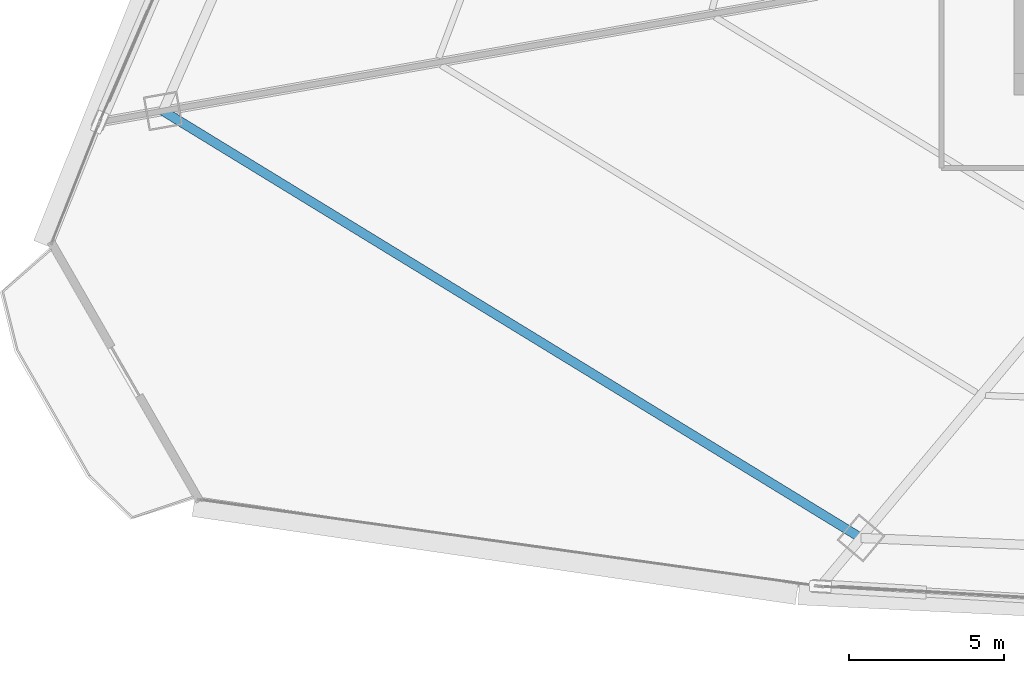
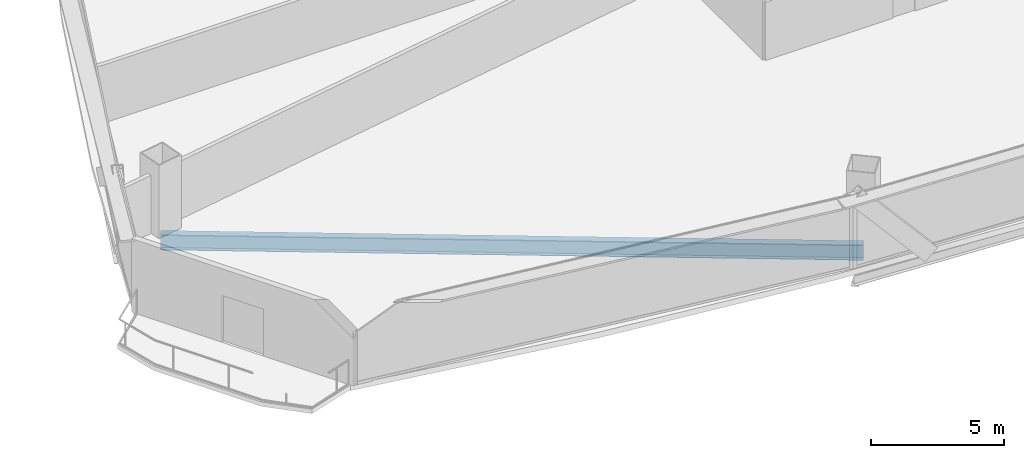
# One storey, part 5 of 38: 1 beam.
"""IFC4 building model written with IfcOpenShell, lengths in metres."""

from ifc_helpers import new_model, si_unit, direction, frame, origin, origin_2d, place, context, subcontext, project, spatial, i_section, extrude, source, transform, mapped, material, material_profile, profile_set, type_object, element, save


model = new_model("IFC4")

# Units and contexts
model_context = context("Model", 3, precision=1e-05, world=origin(), true_north=direction((0.0, 1.0)))
body_context = subcontext(model_context, "Body", "Model", "MODEL_VIEW")
ifc_project = project(units=[si_unit("LENGTHUNIT", "METRE"), si_unit("AREAUNIT", "SQUARE_METRE"), si_unit("VOLUMEUNIT", "CUBIC_METRE"), si_unit("PLANEANGLEUNIT", "RADIAN"), si_unit("MASSUNIT", "GRAM", prefix="KILO"), si_unit("THERMODYNAMICTEMPERATUREUNIT", "KELVIN"), si_unit("POWERUNIT", "WATT")], contexts=[model_context])

# Site, building, storey
site_placement = place(None, origin())
site = spatial("IfcSite", under=ifc_project, at=site_placement, CompositionType="ELEMENT")
building_placement = place(site_placement, origin())
building = spatial("IfcBuilding", under=site, at=building_placement, Name="Yunzhuo Pagoda Commons", CompositionType="ELEMENT")
storey_placement = place(building_placement, frame((0.0, 0.0, 30.39990234375)))
storey = spatial("IfcBuildingStorey", under=building, at=storey_placement, Name="L07", CompositionType="ELEMENT", Elevation=30.39990234375)

# Beam
ifc_material = material(Name="Structural steel Q355B", Category="steel")
ifc_material_profile = material_profile(ifc_material, i_section(OverallWidth=0.300048828125, OverallDepth=0.699951171875, WebThickness=0.012939453125, FlangeThickness=0.02392578125, at=origin_2d()), Name="Structural steel Q355B")
ifc_profile_set = profile_set([ifc_material_profile], Name="Structural steel Q355B")
beam_type = type_object("IfcBeamType", Name="B-RG1 Beam HN 700x300x13x24", PredefinedType="BEAM", material=ifc_profile_set)
shared_shape = source(origin(), body_context, "Body", "SweptSolid", [
    extrude(i_section(OverallWidth=0.300048828125, OverallDepth=0.699951171875, WebThickness=0.012939453125, FlangeThickness=0.02392578125, at=origin_2d()), origin(), (0.0, 0.0, 1.0), 26.432373046875),
])
beam_placement = place(storey_placement, frame((7.952392578125, 26.638427734375, -0.60986328125), z_axis=(0.853031728928, -0.521859051318, 0.0), x_axis=(0.521859051318, 0.853031728928, 0.0)))
element("IfcBeam", 1, at=beam_placement, inside=storey, type_object=beam_type, Name="L07 column-ring beam 12", PredefinedType="BEAM", context=body_context, shape_type="MappedRepresentation", body=[
    mapped(shared_shape, transform((0.0, 0.0, 0.0), scale=1.0)),
])

save(model, "model.ifc")
